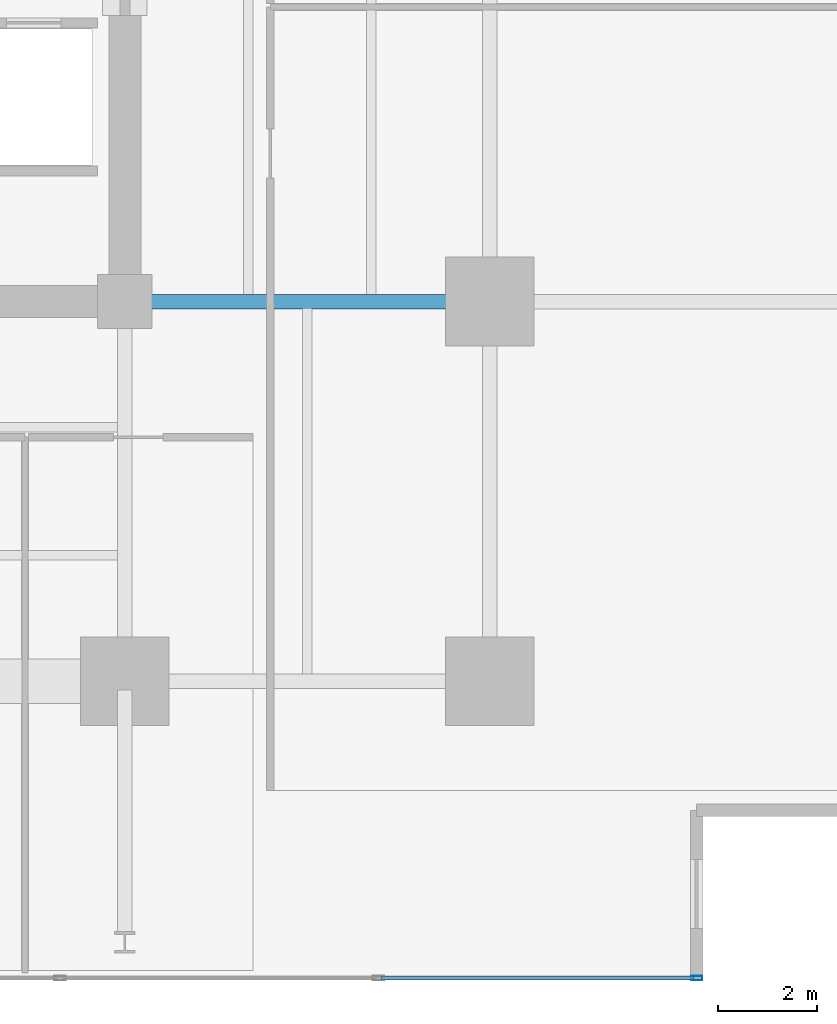
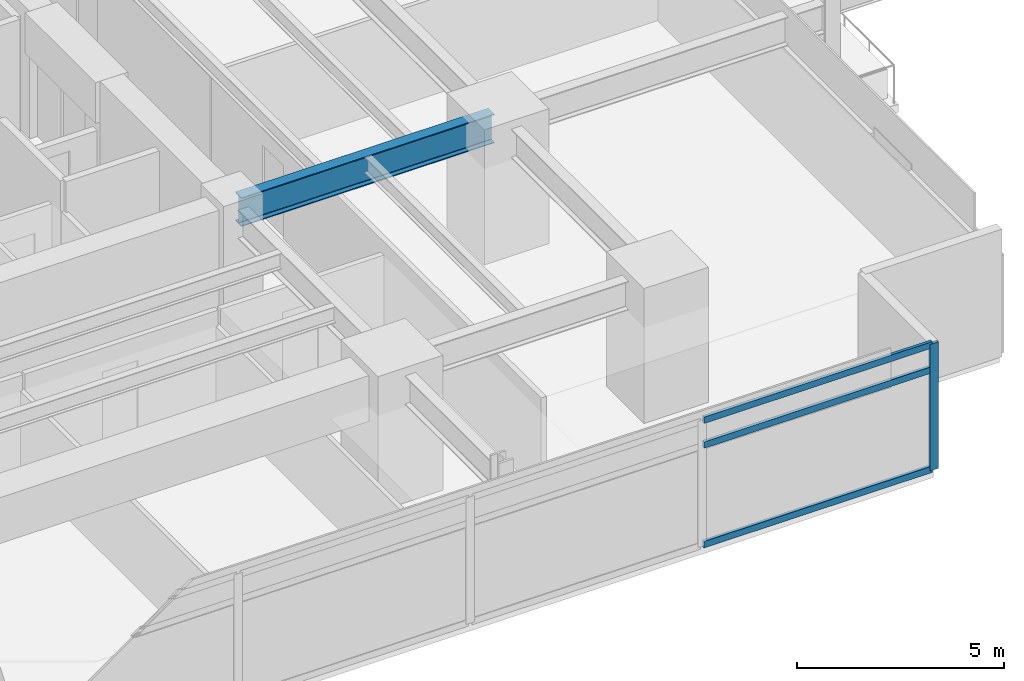
# One storey, part 7 of 22: 4 members, 1 beam, 1 element without a shape of its own.
"""IFC4 building model written with IfcOpenShell, lengths in metres."""

from ifc_helpers import new_model, si_unit, direction, frame, origin, origin_2d, place, context, subcontext, project, spatial, hollow_rectangle, i_section, extrude, material, material_profile, profile_set, type_object, element, aggregate, save


model = new_model("IFC4")

# Units and contexts
model_context = context("Model", 3, precision=1e-05, world=origin(), true_north=direction((0.0, 1.0)))
body_context = subcontext(model_context, "Body", "Model", "MODEL_VIEW")
ifc_project = project(units=[si_unit("LENGTHUNIT", "METRE"), si_unit("AREAUNIT", "SQUARE_METRE"), si_unit("VOLUMEUNIT", "CUBIC_METRE"), si_unit("PLANEANGLEUNIT", "RADIAN"), si_unit("MASSUNIT", "GRAM", prefix="KILO")], contexts=[model_context])

# Site, building, storey
site_placement = place(None, origin())
site = spatial("IfcSite", under=ifc_project, at=site_placement, CompositionType="ELEMENT")
building_placement = place(site_placement, origin())
building = spatial("IfcBuilding", under=site, at=building_placement, Name="Kovane Verandah Tower", CompositionType="ELEMENT")
storey_placement = place(building_placement, frame((0.0, 0.0, 99.60009765625)))
storey = spatial("IfcBuildingStorey", under=building, at=storey_placement, Name="L23", CompositionType="ELEMENT", Elevation=99.60009765625)

# Beam
ifc_material_1 = material(Name="Steel S355", Category="steel")
ifc_material_profile_1 = material_profile(ifc_material_1, i_section(OverallWidth=0.293701171875, OverallDepth=0.850830078125, WebThickness=0.01611328125, FlangeThickness=0.02685546875, FilletRadius=0.017822265625, at=origin_2d()), Name="UB838x292x226")
ifc_profile_set_1 = profile_set([ifc_material_profile_1], Name="Steel S355")
beam_type = type_object("IfcBeamType", Name="BM-UB838x226", PredefinedType="BEAM", material=ifc_profile_set_1)
beam_placement = place(storey_placement, frame((51.179931640625, 18.5, 3.33447265625), z_axis=(1.0, 0.0, 0.0), x_axis=(0.0, 1.0, 0.0)))
element("IfcBeam", 1, at=beam_placement, inside=storey, type_object=beam_type, Name="L23 Primary Tower Girder G-E1", PredefinedType="BEAM", context=body_context, shape_type="SweptSolid", body=[
    extrude(i_section(OverallWidth=0.293701171875, OverallDepth=0.850830078125, WebThickness=0.01611328125, FlangeThickness=0.02685546875, FilletRadius=0.017822265625, at=origin_2d()), origin(), (0.0, 0.0, 1.0), 7.0400390625),
])

# Curtain wall, members
ifc_material_2 = material(Name="Champagne Anodised Aluminium Frame with Low-E Clear Laminated Glass", Category="aluminium")
curtain_wall_type = type_object("IfcCurtainWallType", Name="CW-SYS-02-LOW", PredefinedType="NOTDEFINED", material=ifc_material_2)
curtain_wall_placement = place(storey_placement, origin())
curtain_wall = element("IfcCurtainWall", 2, at=curtain_wall_placement, inside=storey, type_object=curtain_wall_type, Name="L23 S Unitised Curtain Wall", PredefinedType="NOTDEFINED")
ifc_material_3 = material(Name="Champagne Anodised Aluminium 6063-T6", Category="aluminium")
ifc_material_profile_2 = material_profile(ifc_material_3, hollow_rectangle(XDim=0.0849609375, YDim=0.22998046875, WallThickness=0.00390625, at=origin_2d()), Name="AL85x230x4")
ifc_profile_set_2 = profile_set([ifc_material_profile_2], Name="Champagne Anodised Aluminium 6063-T6")
member_type_1 = type_object("IfcMemberType", Name="CW-MUL-85x230", PredefinedType="MULLION", material=ifc_profile_set_2)
member_1_placement = place(storey_placement, frame((62.5986328125, 4.781005859375, 0.02001953125), z_axis=(0.0, 0.0, 1.0), x_axis=(0.0, -1.0, 0.0)))
member_1 = element("IfcMember", 3, at=member_1_placement, type_object=member_type_1, Name="L23 S Unitised Curtain Wall Mullion 8", PredefinedType="MULLION", context=body_context, shape_type="SweptSolid", body=[
    extrude(hollow_rectangle(XDim=0.0849609375, YDim=0.22998046875, WallThickness=0.00390625, at=origin_2d()), origin(), (0.0, 0.0, 1.0), 3.719970703125),
])
ifc_material_profile_3 = material_profile(ifc_material_3, hollow_rectangle(XDim=0.0849609375, YDim=0.18994140625, WallThickness=0.00390625, at=origin_2d()), Name="AL85x190x4")
ifc_profile_set_3 = profile_set([ifc_material_profile_3], Name="Champagne Anodised Aluminium 6063-T6")
member_type_2 = type_object("IfcMemberType", Name="CW-TRN-85x190", PredefinedType="USERDEFINED", material=ifc_profile_set_3)
member_2_placement = place(storey_placement, frame((56.19189453125, 4.781005859375, 0.0498046875), z_axis=(1.0, 0.0, 0.0), x_axis=(0.0, 1.0, 0.0)))
member_2 = element("IfcMember", 4, at=member_2_placement, type_object=member_type_2, Name="L23 S Unitised Curtain Wall Transom TB Bay 7", ObjectType="TRANSOM", PredefinedType="USERDEFINED", context=body_context, shape_type="SweptSolid", body=[
    extrude(hollow_rectangle(XDim=0.0849609375, YDim=0.18994140625, WallThickness=0.00390625, at=origin_2d()), origin(), (0.0, 0.0, 1.0), 6.356689453125),
])
member_3_placement = place(storey_placement, frame((56.19189453125, 4.781005859375, 2.97998046875), z_axis=(1.0, 0.0, 0.0), x_axis=(0.0, 1.0, 0.0)))
member_3 = element("IfcMember", 5, at=member_3_placement, type_object=member_type_2, Name="L23 S Unitised Curtain Wall Transom TM Bay 7", ObjectType="TRANSOM", PredefinedType="USERDEFINED", context=body_context, shape_type="SweptSolid", body=[
    extrude(hollow_rectangle(XDim=0.0849609375, YDim=0.18994140625, WallThickness=0.00390625, at=origin_2d()), origin(), (0.0, 0.0, 1.0), 6.356689453125),
])
member_4_placement = place(storey_placement, frame((56.19189453125, 4.781005859375, 3.7099609375), z_axis=(1.0, 0.0, 0.0), x_axis=(0.0, 1.0, 0.0)))
member_4 = element("IfcMember", 6, at=member_4_placement, type_object=member_type_2, Name="L23 S Unitised Curtain Wall Transom TT Bay 7", ObjectType="TRANSOM", PredefinedType="USERDEFINED", context=body_context, shape_type="SweptSolid", body=[
    extrude(hollow_rectangle(XDim=0.0849609375, YDim=0.18994140625, WallThickness=0.00390625, at=origin_2d()), origin(), (0.0, 0.0, 1.0), 6.356689453125),
])
aggregate(curtain_wall, [member_1, member_2, member_3, member_4])

save(model, "model.ifc")
